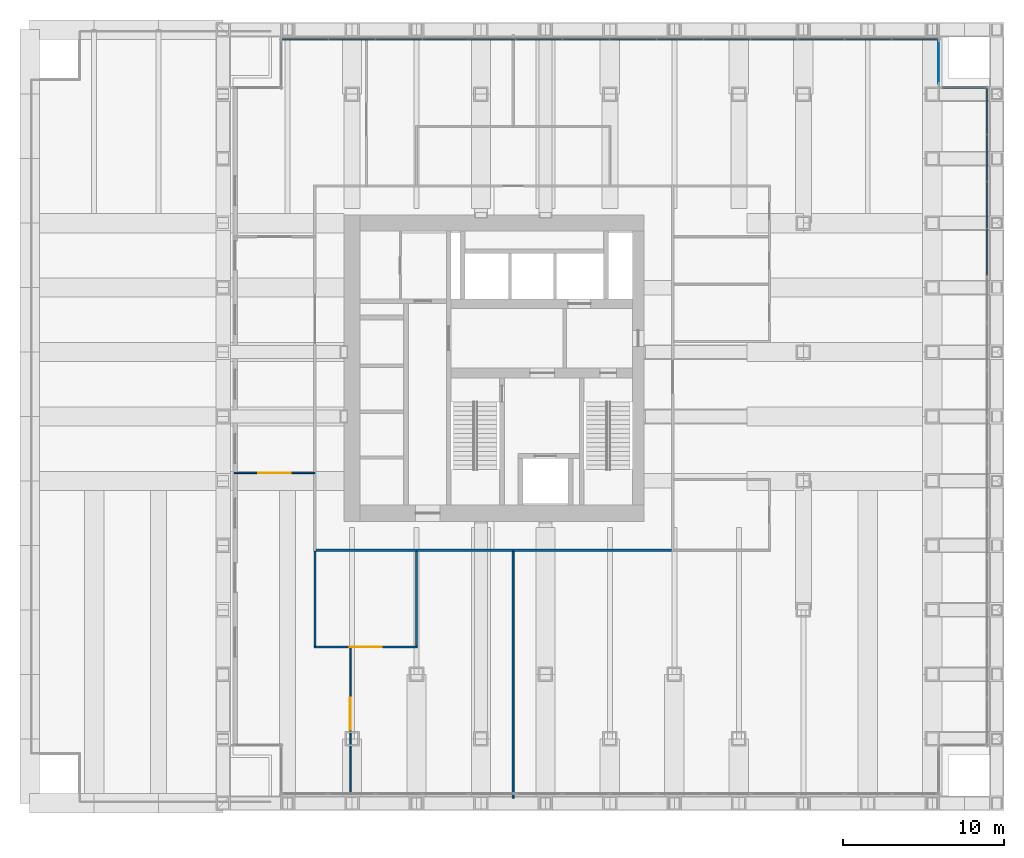
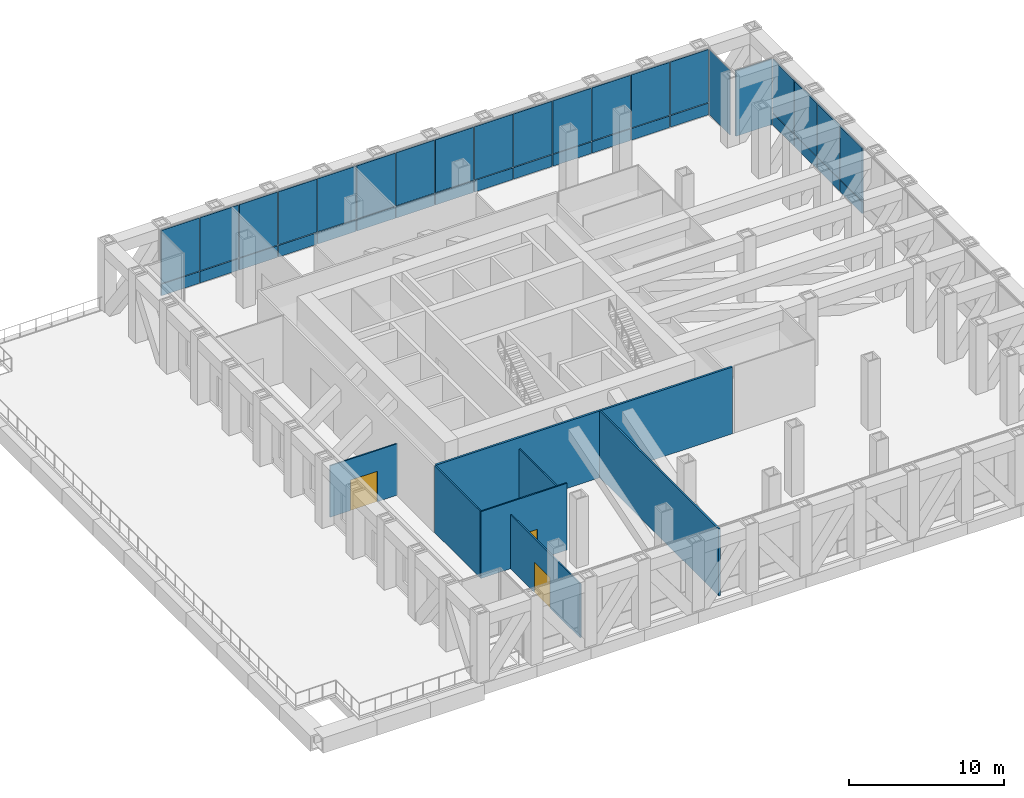
# One storey, part 11 of 14: 38 plates, 7 walls, 3 doors, 3 openings, 4 elements without a shape of their own.
"""IFC4 building model written with IfcOpenShell, lengths in metres."""

from ifc_helpers import new_model, si_unit, direction, frame, frame_2d, origin, origin_2d, place, context, subcontext, project, spatial, rectangle, extrude, material, layer, layer_set, type_object, element, fill, aggregate, save


model = new_model("IFC4")

# Units and contexts
model_context = context("Model", 3, precision=1e-05, world=origin(), true_north=direction((0.0, 1.0)))
body_context = subcontext(model_context, "Body", "Model", "MODEL_VIEW")
ifc_project = project(units=[si_unit("LENGTHUNIT", "METRE"), si_unit("AREAUNIT", "SQUARE_METRE"), si_unit("VOLUMEUNIT", "CUBIC_METRE"), si_unit("PLANEANGLEUNIT", "RADIAN"), si_unit("MASSUNIT", "GRAM", prefix="KILO")], contexts=[model_context])

# Site, building, storey
site_placement = place(None, origin())
site = spatial("IfcSite", under=ifc_project, at=site_placement, CompositionType="ELEMENT")
building_placement = place(site_placement, origin())
building = spatial("IfcBuilding", under=site, at=building_placement, Name="Rimbunsela Tower", CompositionType="ELEMENT")
storey_placement = place(building_placement, frame((0.0, 0.0, 71.0)))
storey = spatial("IfcBuildingStorey", under=building, at=storey_placement, Name="L17", CompositionType="ELEMENT", Elevation=71.0)

# Curtain wall, plate
ifc_material_1 = material(Name="Aluminium curtain wall", Category="aluminium")
curtain_wall_type_1 = type_object("IfcCurtainWallType", Name="Corner glazing", PredefinedType="USERDEFINED", material=ifc_material_1)
curtain_wall_1_placement = place(storey_placement, origin())
curtain_wall_1 = element("IfcCurtainWall", 1, at=curtain_wall_1_placement, inside=storey, type_object=curtain_wall_type_1, Name="Corner glazing L17", ObjectType="CORNER GLAZING", PredefinedType="USERDEFINED")
ifc_material_2 = material(Name="Clear double glazing", Category="glass")
ifc_layer_1 = layer(ifc_material_2, 0.028076171875)
ifc_layer_set_1 = layer_set([ifc_layer_1], Name="Glazed panel clear")
plate_type_1 = type_object("IfcPlateType", Name="Glazed panel clear", PredefinedType="CURTAIN_PANEL", material=ifc_layer_set_1)
plate_1_placement = place(storey_placement, frame((54.39990234375, 45.99755859375, 0.06005859375), z_axis=(0.0, 0.0, 1.0), x_axis=(0.0, 1.0, 0.0)))
plate_1 = element("IfcPlate", 2, at=plate_1_placement, type_object=plate_type_1, Name="CW5 panel 1.1", PredefinedType="CURTAIN_PANEL", context=body_context, shape_type="SweptSolid", body=[
    extrude(rectangle(XDim=2.68505859375, YDim=0.028076171875, at=origin_2d()), origin(), (0.0, 0.0, 1.0), 5.1298828125),
])
aggregate(curtain_wall_1, [plate_1])

ifc_material_3 = material(Name="Aluminium curtain wall", Category="aluminium")
curtain_wall_type_2 = type_object("IfcCurtainWallType", Name="Spandrel wall", PredefinedType="USERDEFINED", material=ifc_material_3)
curtain_wall_2_placement = place(storey_placement, origin())
curtain_wall_2 = element("IfcCurtainWall", 3, at=curtain_wall_2_placement, inside=storey, type_object=curtain_wall_type_2, Name="Spandrel wall L17", ObjectType="SPANDREL WALL", PredefinedType="USERDEFINED")
ifc_material_4 = material(Name="Insulated aluminium spandrel panel", Category="aluminium")
ifc_layer_2 = layer(ifc_material_4, 0.10009765625)
ifc_layer_set_2 = layer_set([ifc_layer_2], Name="Insulated panel 100")
plate_type_2 = type_object("IfcPlateType", Name="Insulated panel 100", PredefinedType="CURTAIN_PANEL", material=ifc_layer_set_2)
plate_2_placement = place(storey_placement, frame((55.99755859375, 44.39990234375, 0.06005859375), z_axis=(0.0, 0.0, 1.0), x_axis=(-1.0, 0.0, 0.0)))
plate_2 = element("IfcPlate", 4, at=plate_2_placement, type_object=plate_type_2, Name="CW7 panel 1.1", PredefinedType="CURTAIN_PANEL", context=body_context, shape_type="SweptSolid", body=[
    extrude(rectangle(XDim=2.68505859375, YDim=0.10009765625, at=origin_2d()), origin(), (0.0, 0.0, 1.0), 5.1298828125),
])
aggregate(curtain_wall_2, [plate_2])

# Curtain wall, plates
ifc_material_5 = material(Name="Aluminium curtain wall", Category="aluminium")
curtain_wall_type_3 = type_object("IfcCurtainWallType", Name="Plant floor louvre wall", PredefinedType="USERDEFINED", material=ifc_material_5)
curtain_wall_3_placement = place(storey_placement, origin())
curtain_wall_3 = element("IfcCurtainWall", 5, at=curtain_wall_3_placement, inside=storey, type_object=curtain_wall_type_3, Name="Plant floor louvre wall L17", ObjectType="PLANT FLOOR LOUVRE WALL", PredefinedType="USERDEFINED")
ifc_material_6 = material(Name="Aluminium louvre blades 100 deep", Category="aluminium")
ifc_layer_3 = layer(ifc_material_6, 0.10009765625)
ifc_layer_set_3 = layer_set([ifc_layer_3], Name="Louvre panel 100")
plate_type_3 = type_object("IfcPlateType", Name="Louvre panel 100", PredefinedType="CURTAIN_PANEL", material=ifc_layer_set_3)
plate_3_placement = place(storey_placement, frame((57.39990234375, 34.199951171875, 0.06005859375), z_axis=(0.0, 0.0, 1.0), x_axis=(0.0, 1.0, 0.0)))
plate_3 = element("IfcPlate", 6, at=plate_3_placement, type_object=plate_type_3, Name="CW3 panel 11.1", PredefinedType="CURTAIN_PANEL", context=body_context, shape_type="SweptSolid", body=[
    extrude(rectangle(XDim=2.854248046875, YDim=0.10009765625, at=origin_2d()), origin(), (0.0, 0.0, 1.0), 0.909912109375),
])
plate_4_placement = place(storey_placement, frame((57.39990234375, 34.199951171875, 1.0302734375), z_axis=(0.0, 0.0, 1.0), x_axis=(0.0, 1.0, 0.0)))
plate_4 = element("IfcPlate", 7, at=plate_4_placement, type_object=plate_type_3, Name="CW3 panel 11.2", PredefinedType="CURTAIN_PANEL", context=body_context, shape_type="SweptSolid", body=[
    extrude(rectangle(XDim=2.854248046875, YDim=0.10009765625, at=origin_2d()), origin(), (0.0, 0.0, 1.0), 4.159912109375),
])
plate_5_placement = place(storey_placement, frame((57.39990234375, 37.1142578125, 0.06005859375), z_axis=(0.0, 0.0, 1.0), x_axis=(0.0, 1.0, 0.0)))
plate_5 = element("IfcPlate", 8, at=plate_5_placement, type_object=plate_type_3, Name="CW3 panel 12.1", PredefinedType="CURTAIN_PANEL", context=body_context, shape_type="SweptSolid", body=[
    extrude(rectangle(XDim=2.854248046875, YDim=0.10009765625, at=origin_2d()), origin(), (0.0, 0.0, 1.0), 0.909912109375),
])
plate_6_placement = place(storey_placement, frame((57.39990234375, 37.1142578125, 1.0302734375), z_axis=(0.0, 0.0, 1.0), x_axis=(0.0, 1.0, 0.0)))
plate_6 = element("IfcPlate", 9, at=plate_6_placement, type_object=plate_type_3, Name="CW3 panel 12.2", PredefinedType="CURTAIN_PANEL", context=body_context, shape_type="SweptSolid", body=[
    extrude(rectangle(XDim=2.854248046875, YDim=0.10009765625, at=origin_2d()), origin(), (0.0, 0.0, 1.0), 4.159912109375),
])
plate_7_placement = place(storey_placement, frame((57.39990234375, 40.028564453125, 0.06005859375), z_axis=(0.0, 0.0, 1.0), x_axis=(0.0, 1.0, 0.0)))
plate_7 = element("IfcPlate", 10, at=plate_7_placement, type_object=plate_type_3, Name="CW3 panel 13.1", PredefinedType="CURTAIN_PANEL", context=body_context, shape_type="SweptSolid", body=[
    extrude(rectangle(XDim=2.854248046875, YDim=0.10009765625, at=origin_2d()), origin(), (0.0, 0.0, 1.0), 0.909912109375),
])
plate_8_placement = place(storey_placement, frame((57.39990234375, 40.028564453125, 1.0302734375), z_axis=(0.0, 0.0, 1.0), x_axis=(0.0, 1.0, 0.0)))
plate_8 = element("IfcPlate", 11, at=plate_8_placement, type_object=plate_type_3, Name="CW3 panel 13.2", PredefinedType="CURTAIN_PANEL", context=body_context, shape_type="SweptSolid", body=[
    extrude(rectangle(XDim=2.854248046875, YDim=0.10009765625, at=origin_2d()), origin(), (0.0, 0.0, 1.0), 4.159912109375),
])
plate_9_placement = place(storey_placement, frame((57.39990234375, 42.927978515625, 0.06005859375), z_axis=(0.0, 0.0, 1.0), x_axis=(0.0, 1.0, 0.0)))
plate_9 = element("IfcPlate", 12, at=plate_9_placement, type_object=plate_type_3, Name="CW3 panel 14.1", PredefinedType="CURTAIN_PANEL", context=body_context, shape_type="SweptSolid", body=[
    extrude(rectangle(XDim=2.82421875, YDim=0.10009765625, at=origin_2d()), origin(), (0.0, 0.0, 1.0), 0.909912109375),
])
plate_10_placement = place(storey_placement, frame((57.39990234375, 42.927978515625, 1.0302734375), z_axis=(0.0, 0.0, 1.0), x_axis=(0.0, 1.0, 0.0)))
plate_10 = element("IfcPlate", 13, at=plate_10_placement, type_object=plate_type_3, Name="CW3 panel 14.2", PredefinedType="CURTAIN_PANEL", context=body_context, shape_type="SweptSolid", body=[
    extrude(rectangle(XDim=2.82421875, YDim=0.10009765625, at=origin_2d()), origin(), (0.0, 0.0, 1.0), 4.159912109375),
])
aggregate(curtain_wall_3, [plate_3, plate_4, plate_5, plate_6, plate_7, plate_8, plate_9, plate_10])

curtain_wall_4_placement = place(storey_placement, origin())
curtain_wall_4 = element("IfcCurtainWall", 14, at=curtain_wall_4_placement, inside=storey, type_object=curtain_wall_type_3, Name="Plant floor louvre wall L17", ObjectType="PLANT FLOOR LOUVRE WALL", PredefinedType="USERDEFINED")
plate_11_placement = place(storey_placement, frame((52.927978515625, 47.39990234375, 0.06005859375), z_axis=(0.0, 0.0, 1.0), x_axis=(-1.0, 0.0, 0.0)))
plate_11 = element("IfcPlate", 15, at=plate_11_placement, type_object=plate_type_3, Name="CW3 panel 1.1", PredefinedType="CURTAIN_PANEL", context=body_context, shape_type="SweptSolid", body=[
    extrude(rectangle(XDim=2.82421875, YDim=0.10009765625, at=origin_2d()), origin(), (0.0, 0.0, 1.0), 0.909912109375),
])
plate_12_placement = place(storey_placement, frame((52.927978515625, 47.39990234375, 1.0302734375), z_axis=(0.0, 0.0, 1.0), x_axis=(-1.0, 0.0, 0.0)))
plate_12 = element("IfcPlate", 16, at=plate_12_placement, type_object=plate_type_3, Name="CW3 panel 1.2", PredefinedType="CURTAIN_PANEL", context=body_context, shape_type="SweptSolid", body=[
    extrude(rectangle(XDim=2.82421875, YDim=0.10009765625, at=origin_2d()), origin(), (0.0, 0.0, 1.0), 4.159912109375),
])
plate_13_placement = place(storey_placement, frame((50.028564453125, 47.39990234375, 0.06005859375), z_axis=(0.0, 0.0, 1.0), x_axis=(-1.0, 0.0, 0.0)))
plate_13 = element("IfcPlate", 17, at=plate_13_placement, type_object=plate_type_3, Name="CW3 panel 2.1", PredefinedType="CURTAIN_PANEL", context=body_context, shape_type="SweptSolid", body=[
    extrude(rectangle(XDim=2.854248046875, YDim=0.10009765625, at=origin_2d()), origin(), (0.0, 0.0, 1.0), 0.909912109375),
])
plate_14_placement = place(storey_placement, frame((50.028564453125, 47.39990234375, 1.0302734375), z_axis=(0.0, 0.0, 1.0), x_axis=(-1.0, 0.0, 0.0)))
plate_14 = element("IfcPlate", 18, at=plate_14_placement, type_object=plate_type_3, Name="CW3 panel 2.2", PredefinedType="CURTAIN_PANEL", context=body_context, shape_type="SweptSolid", body=[
    extrude(rectangle(XDim=2.854248046875, YDim=0.10009765625, at=origin_2d()), origin(), (0.0, 0.0, 1.0), 4.159912109375),
])
plate_15_placement = place(storey_placement, frame((47.1142578125, 47.39990234375, 0.06005859375), z_axis=(0.0, 0.0, 1.0), x_axis=(-1.0, 0.0, 0.0)))
plate_15 = element("IfcPlate", 19, at=plate_15_placement, type_object=plate_type_3, Name="CW3 panel 3.1", PredefinedType="CURTAIN_PANEL", context=body_context, shape_type="SweptSolid", body=[
    extrude(rectangle(XDim=2.854248046875, YDim=0.10009765625, at=origin_2d()), origin(), (0.0, 0.0, 1.0), 0.909912109375),
])
plate_16_placement = place(storey_placement, frame((47.1142578125, 47.39990234375, 1.0302734375), z_axis=(0.0, 0.0, 1.0), x_axis=(-1.0, 0.0, 0.0)))
plate_16 = element("IfcPlate", 20, at=plate_16_placement, type_object=plate_type_3, Name="CW3 panel 3.2", PredefinedType="CURTAIN_PANEL", context=body_context, shape_type="SweptSolid", body=[
    extrude(rectangle(XDim=2.854248046875, YDim=0.10009765625, at=origin_2d()), origin(), (0.0, 0.0, 1.0), 4.159912109375),
])
plate_17_placement = place(storey_placement, frame((44.199951171875, 47.39990234375, 0.06005859375), z_axis=(0.0, 0.0, 1.0), x_axis=(-1.0, 0.0, 0.0)))
plate_17 = element("IfcPlate", 21, at=plate_17_placement, type_object=plate_type_3, Name="CW3 panel 4.1", PredefinedType="CURTAIN_PANEL", context=body_context, shape_type="SweptSolid", body=[
    extrude(rectangle(XDim=2.854248046875, YDim=0.10009765625, at=origin_2d()), origin(), (0.0, 0.0, 1.0), 0.909912109375),
])
plate_18_placement = place(storey_placement, frame((44.199951171875, 47.39990234375, 1.0302734375), z_axis=(0.0, 0.0, 1.0), x_axis=(-1.0, 0.0, 0.0)))
plate_18 = element("IfcPlate", 22, at=plate_18_placement, type_object=plate_type_3, Name="CW3 panel 4.2", PredefinedType="CURTAIN_PANEL", context=body_context, shape_type="SweptSolid", body=[
    extrude(rectangle(XDim=2.854248046875, YDim=0.10009765625, at=origin_2d()), origin(), (0.0, 0.0, 1.0), 4.159912109375),
])
plate_19_placement = place(storey_placement, frame((41.28564453125, 47.39990234375, 0.06005859375), z_axis=(0.0, 0.0, 1.0), x_axis=(-1.0, 0.0, 0.0)))
plate_19 = element("IfcPlate", 23, at=plate_19_placement, type_object=plate_type_3, Name="CW3 panel 5.1", PredefinedType="CURTAIN_PANEL", context=body_context, shape_type="SweptSolid", body=[
    extrude(rectangle(XDim=2.854248046875, YDim=0.10009765625, at=origin_2d()), origin(), (0.0, 0.0, 1.0), 0.909912109375),
])
plate_20_placement = place(storey_placement, frame((41.28564453125, 47.39990234375, 1.0302734375), z_axis=(0.0, 0.0, 1.0), x_axis=(-1.0, 0.0, 0.0)))
plate_20 = element("IfcPlate", 24, at=plate_20_placement, type_object=plate_type_3, Name="CW3 panel 5.2", PredefinedType="CURTAIN_PANEL", context=body_context, shape_type="SweptSolid", body=[
    extrude(rectangle(XDim=2.854248046875, YDim=0.10009765625, at=origin_2d()), origin(), (0.0, 0.0, 1.0), 4.159912109375),
])
plate_21_placement = place(storey_placement, frame((38.371337890625, 47.39990234375, 0.06005859375), z_axis=(0.0, 0.0, 1.0), x_axis=(-1.0, 0.0, 0.0)))
plate_21 = element("IfcPlate", 25, at=plate_21_placement, type_object=plate_type_3, Name="CW3 panel 6.1", PredefinedType="CURTAIN_PANEL", context=body_context, shape_type="SweptSolid", body=[
    extrude(rectangle(XDim=2.854248046875, YDim=0.10009765625, at=origin_2d()), origin(), (0.0, 0.0, 1.0), 0.909912109375),
])
plate_22_placement = place(storey_placement, frame((38.371337890625, 47.39990234375, 1.0302734375), z_axis=(0.0, 0.0, 1.0), x_axis=(-1.0, 0.0, 0.0)))
plate_22 = element("IfcPlate", 26, at=plate_22_placement, type_object=plate_type_3, Name="CW3 panel 6.2", PredefinedType="CURTAIN_PANEL", context=body_context, shape_type="SweptSolid", body=[
    extrude(rectangle(XDim=2.854248046875, YDim=0.10009765625, at=origin_2d()), origin(), (0.0, 0.0, 1.0), 4.159912109375),
])
plate_23_placement = place(storey_placement, frame((35.45703125, 47.39990234375, 0.06005859375), z_axis=(0.0, 0.0, 1.0), x_axis=(-1.0, 0.0, 0.0)))
plate_23 = element("IfcPlate", 27, at=plate_23_placement, type_object=plate_type_3, Name="CW3 panel 7.1", PredefinedType="CURTAIN_PANEL", context=body_context, shape_type="SweptSolid", body=[
    extrude(rectangle(XDim=2.854248046875, YDim=0.10009765625, at=origin_2d()), origin(), (0.0, 0.0, 1.0), 0.909912109375),
])
plate_24_placement = place(storey_placement, frame((35.45703125, 47.39990234375, 1.0302734375), z_axis=(0.0, 0.0, 1.0), x_axis=(-1.0, 0.0, 0.0)))
plate_24 = element("IfcPlate", 28, at=plate_24_placement, type_object=plate_type_3, Name="CW3 panel 7.2", PredefinedType="CURTAIN_PANEL", context=body_context, shape_type="SweptSolid", body=[
    extrude(rectangle(XDim=2.854248046875, YDim=0.10009765625, at=origin_2d()), origin(), (0.0, 0.0, 1.0), 4.159912109375),
])
plate_25_placement = place(storey_placement, frame((32.54296875, 47.39990234375, 0.06005859375), z_axis=(0.0, 0.0, 1.0), x_axis=(-1.0, 0.0, 0.0)))
plate_25 = element("IfcPlate", 29, at=plate_25_placement, type_object=plate_type_3, Name="CW3 panel 8.1", PredefinedType="CURTAIN_PANEL", context=body_context, shape_type="SweptSolid", body=[
    extrude(rectangle(XDim=2.854248046875, YDim=0.10009765625, at=origin_2d()), origin(), (0.0, 0.0, 1.0), 0.909912109375),
])
plate_26_placement = place(storey_placement, frame((32.54296875, 47.39990234375, 1.0302734375), z_axis=(0.0, 0.0, 1.0), x_axis=(-1.0, 0.0, 0.0)))
plate_26 = element("IfcPlate", 30, at=plate_26_placement, type_object=plate_type_3, Name="CW3 panel 8.2", PredefinedType="CURTAIN_PANEL", context=body_context, shape_type="SweptSolid", body=[
    extrude(rectangle(XDim=2.854248046875, YDim=0.10009765625, at=origin_2d()), origin(), (0.0, 0.0, 1.0), 4.159912109375),
])
plate_27_placement = place(storey_placement, frame((29.628662109375, 47.39990234375, 0.06005859375), z_axis=(0.0, 0.0, 1.0), x_axis=(-1.0, 0.0, 0.0)))
plate_27 = element("IfcPlate", 31, at=plate_27_placement, type_object=plate_type_3, Name="CW3 panel 9.1", PredefinedType="CURTAIN_PANEL", context=body_context, shape_type="SweptSolid", body=[
    extrude(rectangle(XDim=2.854248046875, YDim=0.10009765625, at=origin_2d()), origin(), (0.0, 0.0, 1.0), 0.909912109375),
])
plate_28_placement = place(storey_placement, frame((29.628662109375, 47.39990234375, 1.0302734375), z_axis=(0.0, 0.0, 1.0), x_axis=(-1.0, 0.0, 0.0)))
plate_28 = element("IfcPlate", 32, at=plate_28_placement, type_object=plate_type_3, Name="CW3 panel 9.2", PredefinedType="CURTAIN_PANEL", context=body_context, shape_type="SweptSolid", body=[
    extrude(rectangle(XDim=2.854248046875, YDim=0.10009765625, at=origin_2d()), origin(), (0.0, 0.0, 1.0), 4.159912109375),
])
plate_29_placement = place(storey_placement, frame((26.71435546875, 47.39990234375, 0.06005859375), z_axis=(0.0, 0.0, 1.0), x_axis=(-1.0, 0.0, 0.0)))
plate_29 = element("IfcPlate", 33, at=plate_29_placement, type_object=plate_type_3, Name="CW3 panel 10.1", PredefinedType="CURTAIN_PANEL", context=body_context, shape_type="SweptSolid", body=[
    extrude(rectangle(XDim=2.854248046875, YDim=0.10009765625, at=origin_2d()), origin(), (0.0, 0.0, 1.0), 0.909912109375),
])
plate_30_placement = place(storey_placement, frame((26.71435546875, 47.39990234375, 1.0302734375), z_axis=(0.0, 0.0, 1.0), x_axis=(-1.0, 0.0, 0.0)))
plate_30 = element("IfcPlate", 34, at=plate_30_placement, type_object=plate_type_3, Name="CW3 panel 10.2", PredefinedType="CURTAIN_PANEL", context=body_context, shape_type="SweptSolid", body=[
    extrude(rectangle(XDim=2.854248046875, YDim=0.10009765625, at=origin_2d()), origin(), (0.0, 0.0, 1.0), 4.159912109375),
])
plate_31_placement = place(storey_placement, frame((23.800048828125, 47.39990234375, 0.06005859375), z_axis=(0.0, 0.0, 1.0), x_axis=(-1.0, 0.0, 0.0)))
plate_31 = element("IfcPlate", 35, at=plate_31_placement, type_object=plate_type_3, Name="CW3 panel 11.1", PredefinedType="CURTAIN_PANEL", context=body_context, shape_type="SweptSolid", body=[
    extrude(rectangle(XDim=2.854248046875, YDim=0.10009765625, at=origin_2d()), origin(), (0.0, 0.0, 1.0), 0.909912109375),
])
plate_32_placement = place(storey_placement, frame((23.800048828125, 47.39990234375, 1.0302734375), z_axis=(0.0, 0.0, 1.0), x_axis=(-1.0, 0.0, 0.0)))
plate_32 = element("IfcPlate", 36, at=plate_32_placement, type_object=plate_type_3, Name="CW3 panel 11.2", PredefinedType="CURTAIN_PANEL", context=body_context, shape_type="SweptSolid", body=[
    extrude(rectangle(XDim=2.854248046875, YDim=0.10009765625, at=origin_2d()), origin(), (0.0, 0.0, 1.0), 4.159912109375),
])
plate_33_placement = place(storey_placement, frame((20.8857421875, 47.39990234375, 0.06005859375), z_axis=(0.0, 0.0, 1.0), x_axis=(-1.0, 0.0, 0.0)))
plate_33 = element("IfcPlate", 37, at=plate_33_placement, type_object=plate_type_3, Name="CW3 panel 12.1", PredefinedType="CURTAIN_PANEL", context=body_context, shape_type="SweptSolid", body=[
    extrude(rectangle(XDim=2.854248046875, YDim=0.10009765625, at=origin_2d()), origin(), (0.0, 0.0, 1.0), 0.909912109375),
])
plate_34_placement = place(storey_placement, frame((20.8857421875, 47.39990234375, 1.0302734375), z_axis=(0.0, 0.0, 1.0), x_axis=(-1.0, 0.0, 0.0)))
plate_34 = element("IfcPlate", 38, at=plate_34_placement, type_object=plate_type_3, Name="CW3 panel 12.2", PredefinedType="CURTAIN_PANEL", context=body_context, shape_type="SweptSolid", body=[
    extrude(rectangle(XDim=2.854248046875, YDim=0.10009765625, at=origin_2d()), origin(), (0.0, 0.0, 1.0), 4.159912109375),
])
plate_35_placement = place(storey_placement, frame((17.971435546875, 47.39990234375, 0.06005859375), z_axis=(0.0, 0.0, 1.0), x_axis=(-1.0, 0.0, 0.0)))
plate_35 = element("IfcPlate", 39, at=plate_35_placement, type_object=plate_type_3, Name="CW3 panel 13.1", PredefinedType="CURTAIN_PANEL", context=body_context, shape_type="SweptSolid", body=[
    extrude(rectangle(XDim=2.854248046875, YDim=0.10009765625, at=origin_2d()), origin(), (0.0, 0.0, 1.0), 0.909912109375),
])
plate_36_placement = place(storey_placement, frame((17.971435546875, 47.39990234375, 1.0302734375), z_axis=(0.0, 0.0, 1.0), x_axis=(-1.0, 0.0, 0.0)))
plate_36 = element("IfcPlate", 40, at=plate_36_placement, type_object=plate_type_3, Name="CW3 panel 13.2", PredefinedType="CURTAIN_PANEL", context=body_context, shape_type="SweptSolid", body=[
    extrude(rectangle(XDim=2.854248046875, YDim=0.10009765625, at=origin_2d()), origin(), (0.0, 0.0, 1.0), 4.159912109375),
])
plate_37_placement = place(storey_placement, frame((15.072021484375, 47.39990234375, 0.06005859375), z_axis=(0.0, 0.0, 1.0), x_axis=(-1.0, 0.0, 0.0)))
plate_37 = element("IfcPlate", 41, at=plate_37_placement, type_object=plate_type_3, Name="CW3 panel 14.1", PredefinedType="CURTAIN_PANEL", context=body_context, shape_type="SweptSolid", body=[
    extrude(rectangle(XDim=2.82421875, YDim=0.10009765625, at=origin_2d()), origin(), (0.0, 0.0, 1.0), 0.909912109375),
])
plate_38_placement = place(storey_placement, frame((15.072021484375, 47.39990234375, 1.0302734375), z_axis=(0.0, 0.0, 1.0), x_axis=(-1.0, 0.0, 0.0)))
plate_38 = element("IfcPlate", 42, at=plate_38_placement, type_object=plate_type_3, Name="CW3 panel 14.2", PredefinedType="CURTAIN_PANEL", context=body_context, shape_type="SweptSolid", body=[
    extrude(rectangle(XDim=2.82421875, YDim=0.10009765625, at=origin_2d()), origin(), (0.0, 0.0, 1.0), 4.159912109375),
])
aggregate(curtain_wall_4, [plate_11, plate_12, plate_13, plate_14, plate_15, plate_16, plate_17, plate_18, plate_19, plate_20, plate_21, plate_22, plate_23, plate_24, plate_25, plate_26, plate_27, plate_28, plate_29, plate_30, plate_31, plate_32, plate_33, plate_34, plate_35, plate_36, plate_37, plate_38])

# Wall, opening, door
ifc_material_7 = material(Name="Gypsum board on steel studs", Category="steel")
ifc_layer_4 = layer(ifc_material_7, 0.10009765625)
ifc_layer_set_4 = layer_set([ifc_layer_4], Name="Office partition 100")
wall_type_1 = type_object("IfcWallType", Name="Office partition 100", PredefinedType="PARTITIONING", material=ifc_layer_set_4)
wall_1_placement = place(storey_placement, frame((15.64990234375, 9.699951171875, 0.0), z_axis=(0.0, 0.0, 1.0), x_axis=(1.0, 0.0, 0.0)))
wall_1 = element("IfcWall", 43, at=wall_1_placement, inside=storey, type_object=wall_type_1, Name="Plant room partition", PredefinedType="PARTITIONING", context=body_context, shape_type="SweptSolid", body=[
    extrude(rectangle(XDim=6.400146484375, YDim=0.10009765625, at=frame_2d((3.2001953125, 0.0))), origin(), (0.0, 0.0, 1.0), 5.25),
])
opening_1_placement = place(wall_1_placement, frame((2.199951171875, 0.0, 0.0)))
opening_1 = element("IfcOpeningElement", 44, at=opening_1_placement, cuts=wall_1, Name="Opening D08", PredefinedType="OPENING", context=body_context, shape_type="SweptSolid", body=[
    extrude(rectangle(XDim=2.0, YDim=2.39990234375, at=frame_2d((1.0, 1.199951171875))), frame((0.0, 0.06005859375, 0.0), z_axis=(0.0, -1.0, 0.0), x_axis=(1.0, 0.0, 0.0)), (0.0, 0.0, 1.0), 0.1201171875),
])
ifc_material_8 = material(Name="Steel door, fire rated", Category="steel")
door_type = type_object("IfcDoorType", Name="Plant room door 2000", OperationType="DOUBLE_DOOR_DOUBLE_SWING", PredefinedType="DOOR", material=ifc_material_8)
door_1_placement = place(opening_1_placement, origin())
door_1 = element("IfcDoor", 45, at=door_1_placement, inside=storey, type_object=door_type, Name="Plant room door", OperationType="DOUBLE_DOOR_DOUBLE_SWING", OverallHeight=2.39990234375, OverallWidth=2.0, PredefinedType="DOOR", context=body_context, shape_type="SweptSolid", body=[
    extrude(rectangle(XDim=2.0, YDim=2.39990234375, at=frame_2d((1.0, 1.199951171875))), frame((0.0, 0.02490234375, 0.0), z_axis=(0.0, -1.0, 0.0), x_axis=(1.0, 0.0, 0.0)), (0.0, 0.0, 1.0), 0.050048828125),
])
fill(opening_1, door_1)

# Walls
wall_2_placement = place(storey_placement, frame((15.699951171875, 9.75, 0.0), z_axis=(0.0, 0.0, 1.0), x_axis=(0.0, 1.0, 0.0)))
element("IfcWall", 46, at=wall_2_placement, inside=storey, type_object=wall_type_1, Name="Office partition", PredefinedType="PARTITIONING", context=body_context, shape_type="SweptSolid", body=[
    extrude(rectangle(XDim=5.875, YDim=0.10009765625, at=frame_2d((2.9375, 0.0))), origin(), (0.0, 0.0, 1.0), 5.25),
])
wall_3_placement = place(storey_placement, frame((22.0, 9.75, 0.0), z_axis=(0.0, 0.0, 1.0), x_axis=(0.0, 1.0, 0.0)))
element("IfcWall", 47, at=wall_3_placement, inside=storey, type_object=wall_type_1, Name="Office partition", PredefinedType="PARTITIONING", context=body_context, shape_type="SweptSolid", body=[
    extrude(rectangle(XDim=5.875, YDim=0.10009765625, at=frame_2d((2.9375, 0.0))), origin(), (0.0, 0.0, 1.0), 4.35009765625),
])

# Wall, opening, door
wall_4_placement = place(storey_placement, frame((10.679931640625, 20.5, 0.0), z_axis=(0.0, 0.0, 1.0), x_axis=(1.0, 0.0, 0.0)))
wall_4 = element("IfcWall", 48, at=wall_4_placement, inside=storey, type_object=wall_type_1, Name="Plant room partition", PredefinedType="PARTITIONING", context=body_context, shape_type="SweptSolid", body=[
    extrude(rectangle(XDim=5.02001953125, YDim=0.10009765625, at=frame_2d((2.510009765625, 0.0))), origin(), (0.0, 0.0, 1.0), 4.050048828125),
])
opening_2_placement = place(wall_4_placement, frame((1.510009765625, 0.0, 0.0)))
opening_2 = element("IfcOpeningElement", 49, at=opening_2_placement, cuts=wall_4, Name="Opening D08", PredefinedType="OPENING", context=body_context, shape_type="SweptSolid", body=[
    extrude(rectangle(XDim=2.0, YDim=2.39990234375, at=frame_2d((1.0, 1.199951171875))), frame((0.0, 0.06005859375, 0.0), z_axis=(0.0, -1.0, 0.0), x_axis=(1.0, 0.0, 0.0)), (0.0, 0.0, 1.0), 0.1201171875),
])
door_2_placement = place(opening_2_placement, origin())
door_2 = element("IfcDoor", 50, at=door_2_placement, inside=storey, type_object=door_type, Name="Plant room door", OperationType="DOUBLE_DOOR_DOUBLE_SWING", OverallHeight=2.39990234375, OverallWidth=2.0, PredefinedType="DOOR", context=body_context, shape_type="SweptSolid", body=[
    extrude(rectangle(XDim=2.0, YDim=2.39990234375, at=frame_2d((1.0, 1.199951171875))), frame((0.0, 0.02490234375, 0.0), z_axis=(0.0, -1.0, 0.0), x_axis=(1.0, 0.0, 0.0)), (0.0, 0.0, 1.0), 0.050048828125),
])
fill(opening_2, door_2)

wall_5_placement = place(storey_placement, frame((17.89892578125, 9.64990234375, 0.0), z_axis=(0.0, 0.0, 1.0), x_axis=(0.0, -1.0, 0.0)))
wall_5 = element("IfcWall", 51, at=wall_5_placement, inside=storey, type_object=wall_type_1, Name="Plant room partition", PredefinedType="PARTITIONING", context=body_context, shape_type="SweptSolid", body=[
    extrude(rectangle(XDim=8.969970703125, YDim=0.10009765625, at=frame_2d((4.48486328125, 0.0))), origin(), (0.0, 0.0, 1.0), 4.25),
])
opening_3_placement = place(wall_5_placement, frame((3.0849609375, 0.0, 0.0)))
opening_3 = element("IfcOpeningElement", 52, at=opening_3_placement, cuts=wall_5, Name="Opening D08", PredefinedType="OPENING", context=body_context, shape_type="SweptSolid", body=[
    extrude(rectangle(XDim=2.0, YDim=2.39990234375, at=frame_2d((1.0, 1.199951171875))), frame((0.0, 0.06005859375, 0.0), z_axis=(0.0, -1.0, 0.0), x_axis=(1.0, 0.0, 0.0)), (0.0, 0.0, 1.0), 0.1201171875),
])
door_3_placement = place(opening_3_placement, origin())
door_3 = element("IfcDoor", 53, at=door_3_placement, inside=storey, type_object=door_type, Name="Plant room door", OperationType="DOUBLE_DOOR_DOUBLE_SWING", OverallHeight=2.39990234375, OverallWidth=2.0, PredefinedType="DOOR", context=body_context, shape_type="SweptSolid", body=[
    extrude(rectangle(XDim=2.0, YDim=2.39990234375, at=frame_2d((1.0, 1.199951171875))), frame((0.0, 0.02490234375, 0.0), z_axis=(0.0, -1.0, 0.0), x_axis=(1.0, 0.0, 0.0)), (0.0, 0.0, 1.0), 0.050048828125),
])
fill(opening_3, door_3)

# Walls
ifc_material_9 = material(Name="Fire-rated gypsum board on steel studs, EI 60", Category="steel")
ifc_layer_5 = layer(ifc_material_9, 0.14990234375)
ifc_layer_set_5 = layer_set([ifc_layer_5], Name="Rated corridor wall 150")
wall_type_2 = type_object("IfcWallType", Name="Rated corridor wall 150", PredefinedType="PARTITIONING", material=ifc_layer_set_5)
wall_6_placement = place(storey_placement, frame((15.77490234375, 15.699951171875, 0.0), z_axis=(0.0, 0.0, 1.0), x_axis=(1.0, 0.0, 0.0)))
element("IfcWall", 54, at=wall_6_placement, inside=storey, type_object=wall_type_2, Name="Corridor wall south", PredefinedType="PARTITIONING", context=body_context, shape_type="SweptSolid", body=[
    extrude(rectangle(XDim=22.050048828125, YDim=0.14990234375, at=frame_2d((11.02490234375, 0.0))), origin(), (0.0, 0.0, 1.0), 5.25),
])
ifc_material_10 = material(Name="Gypsum board on steel studs", Category="steel")
ifc_layer_6 = layer(ifc_material_10, 0.1201171875)
ifc_layer_set_6 = layer_set([ifc_layer_6], Name="Tenancy partition 120")
wall_type_3 = type_object("IfcWallType", Name="Tenancy partition 120", PredefinedType="PARTITIONING", material=ifc_layer_set_6)
wall_7_placement = place(storey_placement, frame((28.0, 0.300048828125, 0.0), z_axis=(0.0, 0.0, 1.0), x_axis=(0.0, 1.0, 0.0)))
element("IfcWall", 55, at=wall_7_placement, inside=storey, type_object=wall_type_3, Name="Tenancy partition south", PredefinedType="PARTITIONING", context=body_context, shape_type="SweptSolid", body=[
    extrude(rectangle(XDim=15.324951171875, YDim=0.1201171875, at=frame_2d((7.66259765625, 0.0))), origin(), (0.0, 0.0, 1.0), 5.25),
])

save(model, "model.ifc")
